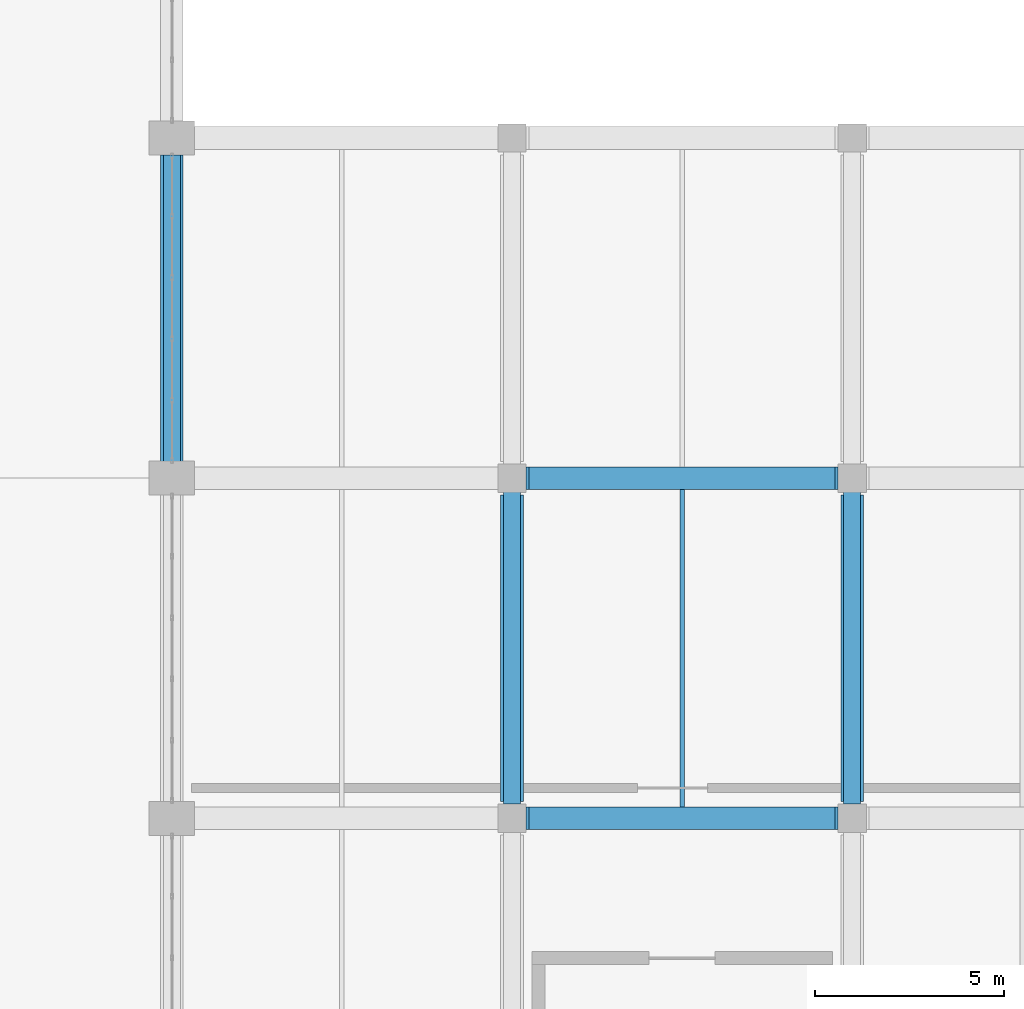
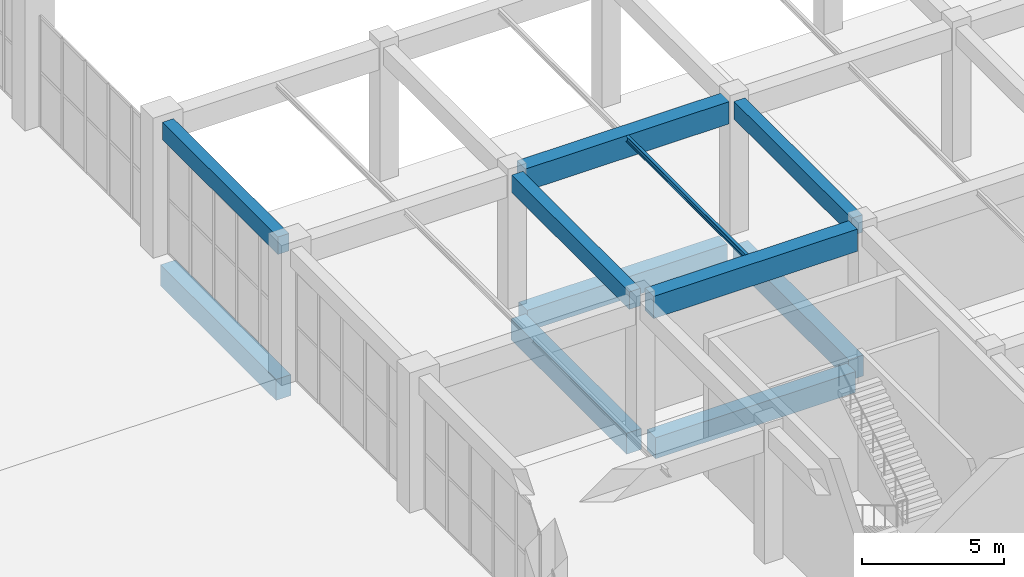
# One storey, part 43 of 91: 11 beams.
"""IFC4 building model written with IfcOpenShell, lengths in metres."""

from ifc_helpers import new_model, si_unit, direction, frame, origin, origin_2d, place, context, subcontext, project, spatial, rectangle, i_section, extrude, material, material_profile, profile_set, type_object, element, save


model = new_model("IFC4")

# Units and contexts
model_context = context("Model", 3, precision=1e-05, world=origin(), true_north=direction((0.0, 1.0)))
body_context = subcontext(model_context, "Body", "Model", "MODEL_VIEW")
ifc_project = project(units=[si_unit("LENGTHUNIT", "METRE"), si_unit("AREAUNIT", "SQUARE_METRE"), si_unit("VOLUMEUNIT", "CUBIC_METRE"), si_unit("PLANEANGLEUNIT", "RADIAN"), si_unit("MASSUNIT", "GRAM", prefix="KILO")], contexts=[model_context])

# Site, building, storey
site_placement = place(None, origin())
site = spatial("IfcSite", under=ifc_project, at=site_placement, CompositionType="ELEMENT")
building_placement = place(site_placement, origin())
building = spatial("IfcBuilding", under=site, at=building_placement, Name="Dornveld Trade and Exhibition Forum", CompositionType="ELEMENT")
storey_placement = place(building_placement, origin())
storey = spatial("IfcBuildingStorey", under=building, at=storey_placement, Name="L00", CompositionType="ELEMENT", Elevation=0.0)

# Beams
ifc_material_1 = material(Name="Concrete C40/50", Category="concrete")
ifc_material_profile_1 = material_profile(ifc_material_1, rectangle(XDim=0.60009765625, YDim=0.89990234375, at=origin_2d()), Name="RC-GB 600x900")
ifc_profile_set_1 = profile_set([ifc_material_profile_1], Name="Concrete C40/50")
beam_type_1 = type_object("IfcBeamType", Name="BM-GB-600x900", PredefinedType="BEAM", material=ifc_profile_set_1)
for number, where, z_axis, x_axis, name in (
    (1, (171.0, 135.446044921875, -0.830078125), (0.0, 1.0, 0.0), (-1.0, 0.0, 0.0), "L00 Y-girder 520"),
    (2, (180.446044921875, 126.0, -0.830078125), (1.0, 0.0, 0.0), (0.0, 1.0, 0.0), "L00 X-girder 533"),
    (3, (180.446044921875, 135.0, -0.830078125), (1.0, 0.0, 0.0), (0.0, 1.0, 0.0), "L00 X-girder 538"),
    (4, (180.0, 126.446044921875, -0.830078125), (0.0, 1.0, 0.0), (-1.0, 0.0, 0.0), "L00 Y-girder 549"),
    (5, (189.0, 126.446044921875, -0.830078125), (0.0, 1.0, 0.0), (-1.0, 0.0, 0.0), "L00 Y-girder 553"),
):
    element("IfcBeam", number, at=place(storey_placement, frame(where, z_axis=z_axis, x_axis=x_axis)), inside=storey, type_object=beam_type_1, Name=name, PredefinedType="BEAM", context=body_context, shape_type="SweptSolid", body=[
        extrude(rectangle(XDim=0.60009765625, YDim=0.89990234375, at=origin_2d()), origin(), (0.0, 0.0, 1.0), 8.10791015625),
    ])
ifc_material_2 = material(Name="Steel S355J2", Category="steel")
ifc_material_profile_2 = material_profile(ifc_material_2, i_section(OverallWidth=0.1201171875, OverallDepth=0.239990234375, WebThickness=0.006103515625, FlangeThickness=0.009765625, FilletRadius=0.014892578125, at=origin_2d()), Name="IPE 240")
ifc_profile_set_2 = profile_set([ifc_material_profile_2], Name="Steel S355J2")
beam_type_2 = type_object("IfcBeamType", Name="BM-JOIST-240", PredefinedType="JOIST", material=ifc_profile_set_2)
beam_1_placement = place(storey_placement, frame((184.5, 126.297119140625, 5.580078125), z_axis=(0.0, 1.0, 0.0), x_axis=(-1.0, 0.0, 0.0)))
element("IfcBeam", 6, at=beam_1_placement, inside=storey, type_object=beam_type_2, Name="L00 secondary joist 1007", PredefinedType="JOIST", context=body_context, shape_type="SweptSolid", body=[
    extrude(i_section(OverallWidth=0.1201171875, OverallDepth=0.239990234375, WebThickness=0.006103515625, FlangeThickness=0.009765625, FilletRadius=0.014892578125, at=origin_2d()), origin(), (0.0, 0.0, 1.0), 8.40576171875),
])
ifc_material_3 = material(Name="Precast concrete C50/60", Category="concrete")
ifc_material_profile_3 = material_profile(ifc_material_3, rectangle(XDim=0.449951171875, YDim=0.75, at=origin_2d()), Name="PC-BM 450x750")
ifc_profile_set_3 = profile_set([ifc_material_profile_3], Name="Precast concrete C50/60")
beam_type_3 = type_object("IfcBeamType", Name="BM-PC-450x750", PredefinedType="BEAM", material=ifc_profile_set_3)
beam_2_placement = place(storey_placement, frame((171.0, 135.446044921875, 5.324951171875), z_axis=(0.0, 1.0, 0.0), x_axis=(-1.0, 0.0, 0.0)))
element("IfcBeam", 7, at=beam_2_placement, inside=storey, type_object=beam_type_3, Name="L00 Y-girder 982", PredefinedType="BEAM", context=body_context, shape_type="SweptSolid", body=[
    extrude(rectangle(XDim=0.449951171875, YDim=0.75, at=origin_2d()), origin(), (0.0, 0.0, 1.0), 8.10791015625),
])
for number, where, z_axis, x_axis, name in (
    (8, (180.0, 126.37109375, 5.324951171875), (0.0, 1.0, 0.0), (-1.0, 0.0, 0.0), "L00 Y-girder 985"),
    (9, (189.0, 126.37109375, 5.324951171875), (0.0, 1.0, 0.0), (-1.0, 0.0, 0.0), "L00 Y-girder 989"),
):
    element("IfcBeam", number, at=place(storey_placement, frame(where, z_axis=z_axis, x_axis=x_axis)), inside=storey, type_object=beam_type_3, Name=name, PredefinedType="BEAM", context=body_context, shape_type="SweptSolid", body=[
        extrude(rectangle(XDim=0.449951171875, YDim=0.75, at=origin_2d()), origin(), (0.0, 0.0, 1.0), 8.2578125),
    ])
ifc_material_4 = material(Name="Precast concrete C50/60", Category="concrete")
ifc_material_profile_4 = material_profile(ifc_material_4, rectangle(XDim=0.60009765625, YDim=0.949951171875, at=origin_2d()), Name="PC-GIR 600x950")
ifc_profile_set_4 = profile_set([ifc_material_profile_4], Name="Precast concrete C50/60")
beam_type_4 = type_object("IfcBeamType", Name="BM-PC-600x950", PredefinedType="T_BEAM", material=ifc_profile_set_4)
for number, where, z_axis, x_axis, name in (
    (10, (180.37109375, 126.0, 5.22509765625), (1.0, 0.0, 0.0), (0.0, 1.0, 0.0), "L00 X-girder 965"),
    (11, (180.37109375, 135.0, 5.22509765625), (1.0, 0.0, 0.0), (0.0, 1.0, 0.0), "L00 X-girder 970"),
):
    element("IfcBeam", number, at=place(storey_placement, frame(where, z_axis=z_axis, x_axis=x_axis)), inside=storey, type_object=beam_type_4, Name=name, PredefinedType="T_BEAM", context=body_context, shape_type="SweptSolid", body=[
        extrude(rectangle(XDim=0.60009765625, YDim=0.949951171875, at=origin_2d()), origin(), (0.0, 0.0, 1.0), 8.2578125),
    ])

save(model, "model.ifc")
